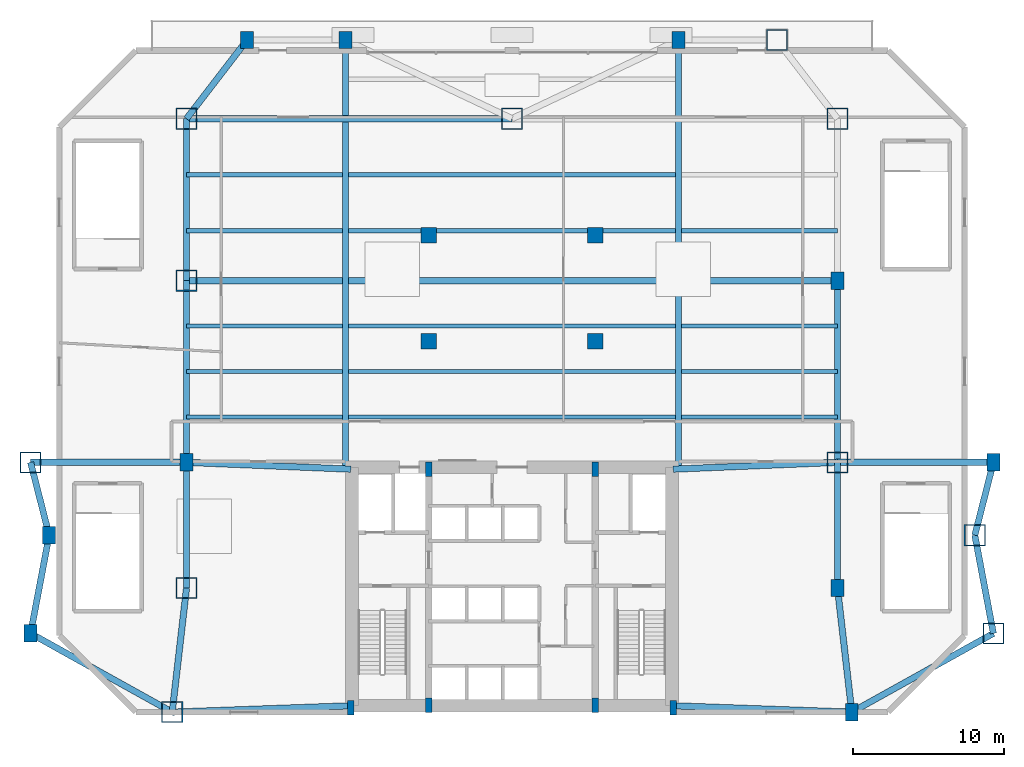
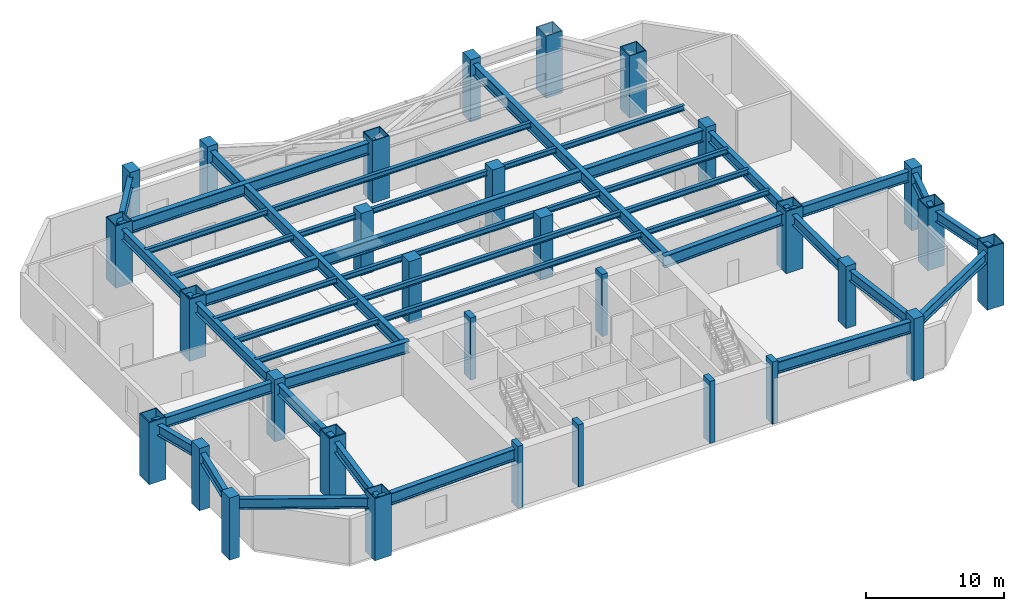
# One storey, part 1 of 8: 38 beams, 31 columns.
"""IFC4 building model written with IfcOpenShell, lengths in metres."""

from ifc_helpers import new_model, si_unit, direction, frame, origin, origin_2d, place, context, subcontext, project, spatial, rectangle, hollow_rectangle, i_section, extrude, source, transform, mapped, material, material_profile, profile_set, type_object, type_shapes, element, save


model = new_model("IFC4")

# Units and contexts
model_context = context("Model", 3, precision=1e-05, world=origin(), true_north=direction((0.0, 1.0)))
body_context = subcontext(model_context, "Body", "Model", "MODEL_VIEW")
ifc_project = project(units=[si_unit("LENGTHUNIT", "METRE"), si_unit("AREAUNIT", "SQUARE_METRE"), si_unit("VOLUMEUNIT", "CUBIC_METRE"), si_unit("PLANEANGLEUNIT", "RADIAN"), si_unit("MASSUNIT", "GRAM", prefix="KILO")], contexts=[model_context])

# Site, building, storey
site_placement = place(None, origin())
site = spatial("IfcSite", under=ifc_project, at=site_placement, CompositionType="ELEMENT")
building_placement = place(site_placement, origin())
building = spatial("IfcBuilding", under=site, at=building_placement, Name="Varnakhor Terracotta Tower", CompositionType="ELEMENT")
storey_placement = place(building_placement, frame((0.0, 0.0, 16.5)))
storey = spatial("IfcBuildingStorey", under=building, at=storey_placement, Name="L03", CompositionType="ELEMENT", Elevation=16.5)

# Columns
ifc_material_1 = material(Name="Concrete C50/60", Category="concrete")
ifc_material_profile_1 = material_profile(ifc_material_1, rectangle(XDim=0.449951171875, YDim=0.949951171875, at=origin_2d()), Name="RC PILASTER 950x450")
ifc_profile_set_1 = profile_set([ifc_material_profile_1], Name="Concrete C50/60")
column_type_1 = type_object("IfcColumnType", Name="COL-PIL-950x450", PredefinedType="PILASTER", material=ifc_profile_set_1)
shared_shape_1 = source(origin(), body_context, "Body", "SweptSolid", [
    extrude(rectangle(XDim=0.449951171875, YDim=0.949951171875, at=origin_2d()), origin(), (0.0, 0.0, 1.0), 5.5),
])
for number, where, z_axis, x_axis, name in (
    (1, (-10.64990234375, 0.300048828125, 0.0), (0.0, 0.0, 1.0), (1.0, 0.0, 0.0), "L03 Core Pilaster CP1"),
    (2, (-5.5, 0.449951171875, 0.0), (0.0, 0.0, 1.0), (1.0, 0.0, 0.0), "L03 Core Pilaster CP2"),
    (3, (5.5, 0.449951171875, 0.0), (0.0, 0.0, 1.0), (1.0, 0.0, 0.0), "L03 Core Pilaster CP3"),
    (4, (10.64990234375, 0.300048828125, 0.0), (0.0, 0.0, 1.0), (1.0, 0.0, 0.0), "L03 Core Pilaster CP4"),
    (5, (-5.5, 16.050048828125, 0.0), (0.0, 0.0, 1.0), (1.0, 0.0, 0.0), "L03 Core Pilaster CP5"),
    (6, (5.5, 16.050048828125, 0.0), (0.0, 0.0, 1.0), (1.0, 0.0, 0.0), "L03 Core Pilaster CP6"),
):
    element("IfcColumn", number, at=place(storey_placement, frame(where, z_axis=z_axis, x_axis=x_axis)), inside=storey, type_object=column_type_1, Name=name, PredefinedType="PILASTER", context=body_context, shape_type="MappedRepresentation", body=[
        mapped(shared_shape_1, transform((0.0, 0.0, 0.0), scale=1.0)),
    ])
ifc_material_2 = material(Name="Concrete C60/75", Category="concrete")
ifc_material_profile_2 = material_profile(ifc_material_2, rectangle(XDim=1.050048828125, YDim=1.050048828125, at=origin_2d()), Name="RC 1050x1050")
ifc_profile_set_2 = profile_set([ifc_material_profile_2], Name="Concrete C60/75")
column_type_2 = type_object("IfcColumnType", Name="COL-RC-1050", PredefinedType="COLUMN", material=ifc_profile_set_2)
shared_shape_2 = source(origin(), body_context, "Body", "SweptSolid", [
    extrude(rectangle(XDim=1.050048828125, YDim=1.050048828125, at=origin_2d()), origin(), (0.0, 0.0, 1.0), 5.5),
])
type_shapes(column_type_2, [shared_shape_2])
for number, where, z_axis, x_axis, name in (
    (7, (-5.5, 24.5, 0.0), (0.0, 0.0, 1.0), (1.0, 0.0, 0.0), "L03 Interior Plumb Tower Column I1"),
    (8, (5.5, 24.5, 0.0), (0.0, 0.0, 1.0), (1.0, 0.0, 0.0), "L03 Interior Plumb Tower Column I2"),
    (9, (-5.5, 31.5, 0.0), (0.0, 0.0, 1.0), (1.0, 0.0, 0.0), "L03 Interior Plumb Tower Column I3"),
    (10, (5.5, 31.5, 0.0), (0.0, 0.0, 1.0), (1.0, 0.0, 0.0), "L03 Interior Plumb Tower Column I4"),
):
    element("IfcColumn", number, at=place(storey_placement, frame(where, z_axis=z_axis, x_axis=x_axis)), inside=storey, type_object=column_type_2, Name=name, PredefinedType="COLUMN", context=body_context, shape_type="MappedRepresentation", body=[
        mapped(shared_shape_2, transform((0.0, 0.0, 0.0), scale=1.0)),
    ])
ifc_material_3 = material(Name="Steel S460", Category="steel")
ifc_material_profile_3 = material_profile(ifc_material_3, hollow_rectangle(XDim=1.39990234375, YDim=1.39990234375, WallThickness=0.070068359375, at=origin_2d()), Name="BOX 1400x1400x70")
ifc_profile_set_3 = profile_set([ifc_material_profile_3], Name="Steel S460")
column_type_3 = type_object("IfcColumnType", Name="COL-MEGA-1400", PredefinedType="COLUMN", material=ifc_profile_set_3)
shared_shape_3 = source(origin(), body_context, "Body", "SweptSolid", [
    extrude(hollow_rectangle(XDim=1.39990234375, YDim=1.39990234375, WallThickness=0.070068359375, at=origin_2d()), origin(), (0.0, 0.0, 1.0), 5.5),
])
for number, where, z_axis, x_axis, name in (
    (11, (-22.446044921875, 0.0, 0.0), (0.0, 0.0, 1.0), (1.0, 0.0, 0.0), "L03 Podium Column PC01"),
    (12, (-21.5, 8.199951171875, 0.0), (0.0, 0.0, 1.0), (1.0, 0.0, 0.0), "L03 Podium Column PC03"),
    (13, (-31.800048828125, 16.5, 0.0), (0.0, 0.0, 1.0), (1.0, 0.0, 0.0), "L03 Podium Column PC05"),
    (14, (-21.5, 28.5, 0.0), (0.0, 0.0, 1.0), (1.0, 0.0, 0.0), "L03 Podium Column PC07"),
    (15, (-21.5, 39.199951171875, 0.0), (0.0, 0.0, 1.0), (1.0, 0.0, 0.0), "L03 Podium Column PC09"),
    (16, (0.0, 39.199951171875, 0.0), (0.0, 0.0, 1.0), (1.0, 0.0, 0.0), "L03 Podium Column PC11"),
    (17, (21.5, 39.199951171875, 0.0), (0.0, 0.0, 1.0), (1.0, 0.0, 0.0), "L03 Podium Column PC13"),
    (18, (21.5, 16.5, 0.0), (0.0, 0.0, 1.0), (1.0, 0.0, 0.0), "L03 Podium Column PC15"),
    (19, (31.800048828125, 5.199951171875, 0.0), (0.0, 0.0, 1.0), (1.0, 0.0, 0.0), "L03 Podium Column PC17"),
    (20, (17.5, 44.39990234375, 0.0), (0.0, 0.0, 1.0), (1.0, 0.0, 0.0), "L03 Podium Column PC21"),
    (21, (30.572998046875, 11.68701171875, 0.0), (0.0, 0.0, 1.0), (1.0, 0.0, 0.0), "L03 Podium Column PC23"),
):
    element("IfcColumn", number, at=place(storey_placement, frame(where, z_axis=z_axis, x_axis=x_axis)), inside=storey, type_object=column_type_3, Name=name, PredefinedType="COLUMN", context=body_context, shape_type="MappedRepresentation", body=[
        mapped(shared_shape_3, transform((0.0, 0.0, 0.0), scale=1.0)),
    ])
ifc_material_profile_4 = material_profile(ifc_material_2, rectangle(XDim=0.85009765625, YDim=1.14990234375, at=origin_2d()), Name="RC 1150x850")
ifc_profile_set_4 = profile_set([ifc_material_profile_4], Name="Concrete C60/75")
column_type_4 = type_object("IfcColumnType", Name="COL-RC-1150x850", PredefinedType="COLUMN", material=ifc_profile_set_4)
shared_shape_4 = source(origin(), body_context, "Body", "SweptSolid", [
    extrude(rectangle(XDim=0.85009765625, YDim=1.14990234375, at=origin_2d()), origin(), (0.0, 0.0, 1.0), 5.5),
])
for number, where, z_axis, x_axis, name in (
    (22, (22.446044921875, 0.0, 0.0), (0.0, 0.0, 1.0), (1.0, 0.0, 0.0), "L03 Podium Column PC02"),
    (23, (21.5, 8.199951171875, 0.0), (0.0, 0.0, 1.0), (1.0, 0.0, 0.0), "L03 Podium Column PC04"),
    (24, (31.800048828125, 16.5, 0.0), (0.0, 0.0, 1.0), (1.0, 0.0, 0.0), "L03 Podium Column PC06"),
    (25, (21.5, 28.5, 0.0), (0.0, 0.0, 1.0), (1.0, 0.0, 0.0), "L03 Podium Column PC08"),
    (26, (-11.0, 44.39990234375, 0.0), (0.0, 0.0, 1.0), (1.0, 0.0, 0.0), "L03 Podium Column PC10"),
    (27, (11.0, 44.39990234375, 0.0), (0.0, 0.0, 1.0), (1.0, 0.0, 0.0), "L03 Podium Column PC12"),
    (28, (-21.5, 16.5, 0.0), (0.0, 0.0, 1.0), (1.0, 0.0, 0.0), "L03 Podium Column PC14"),
    (29, (-31.800048828125, 5.199951171875, 0.0), (0.0, 0.0, 1.0), (1.0, 0.0, 0.0), "L03 Podium Column PC16"),
    (30, (-17.5, 44.39990234375, 0.0), (0.0, 0.0, 1.0), (1.0, 0.0, 0.0), "L03 Podium Column PC20"),
    (31, (-30.572998046875, 11.68701171875, 0.0), (0.0, 0.0, 1.0), (1.0, 0.0, 0.0), "L03 Podium Column PC22"),
):
    element("IfcColumn", number, at=place(storey_placement, frame(where, z_axis=z_axis, x_axis=x_axis)), inside=storey, type_object=column_type_4, Name=name, PredefinedType="COLUMN", context=body_context, shape_type="MappedRepresentation", body=[
        mapped(shared_shape_4, transform((0.0, 0.0, 0.0), scale=1.0)),
    ])

# Beams
ifc_material_4 = material(Name="Steel S355", Category="steel")
ifc_material_profile_5 = material_profile(ifc_material_4, i_section(OverallWidth=0.41796875, OverallDepth=0.927001953125, WebThickness=0.01904296875, FlangeThickness=0.031982421875, FilletRadius=0.01806640625, at=origin_2d()), Name="W36X231")
ifc_profile_set_5 = profile_set([ifc_material_profile_5], Name="Steel S355")
beam_type_1 = type_object("IfcBeamType", Name="BM-W36X231", PredefinedType="BEAM", material=ifc_profile_set_5)
shared_shape_5 = source(origin(), body_context, "Body", "SweptSolid", [
    extrude(i_section(OverallWidth=0.41796875, OverallDepth=0.927001953125, WebThickness=0.01904296875, FlangeThickness=0.031982421875, FilletRadius=0.01806640625, at=origin_2d()), origin(), (0.0, 0.0, 1.0), 8.25439453125),
])
type_shapes(beam_type_1, [shared_shape_5])
for number, where, z_axis, x_axis, name in (
    (32, (-22.446044921875, 0.0, 4.58642578125), (0.114611758944, 0.993410360683, 0.0), (-0.993410360683, 0.114611758944, 0.0), "L03 Podium Ring Girder 1"),
    (33, (21.5, 8.199951171875, 4.58642578125), (0.114611758944, -0.993410360683, 0.0), (0.993410360683, 0.114611758944, 0.0), "L03 Podium Ring Girder 14"),
):
    element("IfcBeam", number, at=place(storey_placement, frame(where, z_axis=z_axis, x_axis=x_axis)), inside=storey, type_object=beam_type_1, Name=name, PredefinedType="BEAM", context=body_context, shape_type="MappedRepresentation", body=[
        mapped(shared_shape_5, transform((0.0, 0.0, 0.0), scale=1.0)),
    ])
shared_shape_6 = source(origin(), body_context, "Body", "SweptSolid", [
    extrude(i_section(OverallWidth=0.41796875, OverallDepth=0.927001953125, WebThickness=0.01904296875, FlangeThickness=0.031982421875, FilletRadius=0.01806640625, at=origin_2d()), origin(), (0.0, 0.0, 1.0), 8.300048828125),
])
for number, where, z_axis, x_axis, name in (
    (34, (-21.5, 8.199951171875, 4.58642578125), (0.0, 1.0, 0.0), (-1.0, 0.0, 0.0), "L03 Podium Ring Girder 2"),
    (35, (21.5, 16.5, 4.58642578125), (0.0, -1.0, 0.0), (1.0, 0.0, 0.0), "L03 Podium Ring Girder 13"),
):
    element("IfcBeam", number, at=place(storey_placement, frame(where, z_axis=z_axis, x_axis=x_axis)), inside=storey, type_object=beam_type_1, Name=name, PredefinedType="BEAM", context=body_context, shape_type="MappedRepresentation", body=[
        mapped(shared_shape_6, transform((0.0, 0.0, 0.0), scale=1.0)),
    ])
shared_shape_7 = source(origin(), body_context, "Body", "SweptSolid", [
    extrude(i_section(OverallWidth=0.41796875, OverallDepth=0.927001953125, WebThickness=0.01904296875, FlangeThickness=0.031982421875, FilletRadius=0.01806640625, at=origin_2d()), origin(), (0.0, 0.0, 1.0), 12.0),
])
for number, where, z_axis, x_axis, name in (
    (36, (-21.5, 16.5, 4.58642578125), (0.0, 1.0, 0.0), (-1.0, 0.0, 0.0), "L03 Podium Ring Girder 3"),
    (37, (21.5, 28.5, 4.58642578125), (0.0, -1.0, 0.0), (1.0, 0.0, 0.0), "L03 Podium Ring Girder 12"),
):
    element("IfcBeam", number, at=place(storey_placement, frame(where, z_axis=z_axis, x_axis=x_axis)), inside=storey, type_object=beam_type_1, Name=name, PredefinedType="BEAM", context=body_context, shape_type="MappedRepresentation", body=[
        mapped(shared_shape_7, transform((0.0, 0.0, 0.0), scale=1.0)),
    ])
shared_shape_8 = source(origin(), body_context, "Body", "SweptSolid", [
    extrude(i_section(OverallWidth=0.41796875, OverallDepth=0.927001953125, WebThickness=0.01904296875, FlangeThickness=0.031982421875, FilletRadius=0.01806640625, at=origin_2d()), origin(), (0.0, 0.0, 1.0), 10.699951171875),
])
beam_1_placement = place(storey_placement, frame((-21.5, 28.5, 4.58642578125), z_axis=(0.0, 1.0, 0.0), x_axis=(-1.0, 0.0, 0.0)))
element("IfcBeam", 38, at=beam_1_placement, inside=storey, type_object=beam_type_1, Name="L03 Podium Ring Girder 4", PredefinedType="BEAM", context=body_context, shape_type="MappedRepresentation", body=[
    mapped(shared_shape_8, transform((0.0, 0.0, 0.0), scale=1.0)),
])
shared_shape_9 = source(origin(), body_context, "Body", "SweptSolid", [
    extrude(i_section(OverallWidth=0.41796875, OverallDepth=0.927001953125, WebThickness=0.01904296875, FlangeThickness=0.031982421875, FilletRadius=0.01806640625, at=origin_2d()), origin(), (0.0, 0.0, 1.0), 6.560546875),
])
beam_2_placement = place(storey_placement, frame((-21.5, 39.199951171875, 4.58642578125), z_axis=(0.609714357737, 0.792621222255, 0.0), x_axis=(-0.792621222255, 0.609714357737, 0.0)))
element("IfcBeam", 39, at=beam_2_placement, inside=storey, type_object=beam_type_1, Name="L03 Podium Ring Girder 5", PredefinedType="BEAM", context=body_context, shape_type="MappedRepresentation", body=[
    mapped(shared_shape_9, transform((0.0, 0.0, 0.0), scale=1.0)),
])
shared_shape_10 = source(origin(), body_context, "Body", "SweptSolid", [
    extrude(i_section(OverallWidth=0.41796875, OverallDepth=0.927001953125, WebThickness=0.01904296875, FlangeThickness=0.031982421875, FilletRadius=0.01806640625, at=origin_2d()), origin(), (0.0, 0.0, 1.0), 10.7021484375),
])
for number, where, z_axis, x_axis, name in (
    (40, (-22.446044921875, 0.0, 4.58642578125), (-0.874027042936, 0.485877276909, 0.0), (-0.485877276909, -0.874027042936, 0.0), "L03 Podium Wing Girder OW1"),
    (41, (22.446044921875, 0.0, 4.58642578125), (0.874027042936, 0.485877276909, 0.0), (-0.485877276909, 0.874027042936, 0.0), "L03 Podium Wing Girder OE1"),
):
    element("IfcBeam", number, at=place(storey_placement, frame(where, z_axis=z_axis, x_axis=x_axis)), inside=storey, type_object=beam_type_1, Name=name, PredefinedType="BEAM", context=body_context, shape_type="MappedRepresentation", body=[
        mapped(shared_shape_10, transform((0.0, 0.0, 0.0), scale=1.0)),
    ])
shared_shape_11 = source(origin(), body_context, "Body", "SweptSolid", [
    extrude(i_section(OverallWidth=0.41796875, OverallDepth=0.927001953125, WebThickness=0.01904296875, FlangeThickness=0.031982421875, FilletRadius=0.01806640625, at=origin_2d()), origin(), (0.0, 0.0, 1.0), 6.60205078125),
])
for number, where, z_axis, x_axis, name in (
    (42, (-31.800048828125, 5.199951171875, 4.58642578125), (0.185857896361, 0.982576634345, 0.0), (-0.982576634345, 0.185857896361, 0.0), "L03 Podium Wing Girder OW2A"),
    (43, (31.800048828125, 5.199951171875, 4.58642578125), (-0.185857896361, 0.982576634345, 0.0), (-0.982576634345, -0.185857896361, 0.0), "L03 Podium Wing Girder OE2A"),
):
    element("IfcBeam", number, at=place(storey_placement, frame(where, z_axis=z_axis, x_axis=x_axis)), inside=storey, type_object=beam_type_1, Name=name, PredefinedType="BEAM", context=body_context, shape_type="MappedRepresentation", body=[
        mapped(shared_shape_11, transform((0.0, 0.0, 0.0), scale=1.0)),
    ])
shared_shape_12 = source(origin(), body_context, "Body", "SweptSolid", [
    extrude(i_section(OverallWidth=0.41796875, OverallDepth=0.927001953125, WebThickness=0.01904296875, FlangeThickness=0.031982421875, FilletRadius=0.01806640625, at=origin_2d()), origin(), (0.0, 0.0, 1.0), 4.967041015625),
])
for number, where, z_axis, x_axis, name in (
    (44, (-30.572998046875, 11.68701171875, 4.58642578125), (-0.247043524216, 0.969004384481, 0.0), (-0.969004384481, -0.247043524216, 0.0), "L03 Podium Wing Girder OW2B"),
    (45, (30.572998046875, 11.68701171875, 4.58642578125), (0.247043524216, 0.969004384481, 0.0), (-0.969004384481, 0.247043524216, 0.0), "L03 Podium Wing Girder OE2B"),
):
    element("IfcBeam", number, at=place(storey_placement, frame(where, z_axis=z_axis, x_axis=x_axis)), inside=storey, type_object=beam_type_1, Name=name, PredefinedType="BEAM", context=body_context, shape_type="MappedRepresentation", body=[
        mapped(shared_shape_12, transform((0.0, 0.0, 0.0), scale=1.0)),
    ])
shared_shape_13 = source(origin(), body_context, "Body", "SweptSolid", [
    extrude(i_section(OverallWidth=0.41796875, OverallDepth=0.927001953125, WebThickness=0.01904296875, FlangeThickness=0.031982421875, FilletRadius=0.01806640625, at=origin_2d()), origin(), (0.0, 0.0, 1.0), 10.300048828125),
])
for number, where, z_axis, x_axis, name in (
    (46, (-21.5, 16.5, 4.58642578125), (-1.0, 0.0, 0.0), (0.0, -1.0, 0.0), "L03 Podium Wing Girder OW4"),
    (47, (21.5, 16.5, 4.58642578125), (1.0, 0.0, 0.0), (0.0, 1.0, 0.0), "L03 Podium Wing Girder OE4"),
):
    element("IfcBeam", number, at=place(storey_placement, frame(where, z_axis=z_axis, x_axis=x_axis)), inside=storey, type_object=beam_type_1, Name=name, PredefinedType="BEAM", context=body_context, shape_type="MappedRepresentation", body=[
        mapped(shared_shape_13, transform((0.0, 0.0, 0.0), scale=1.0)),
    ])
ifc_material_profile_6 = material_profile(ifc_material_3, i_section(OverallWidth=0.419921875, OverallDepth=1.0400390625, WebThickness=0.031005859375, FlangeThickness=0.055908203125, FilletRadius=0.01806640625, at=origin_2d()), Name="W40X397")
ifc_profile_set_6 = profile_set([ifc_material_profile_6], Name="Steel S460")
beam_type_2 = type_object("IfcBeamType", Name="BM-W40X397", PredefinedType="BEAM", material=ifc_profile_set_6)
shared_shape_14 = source(origin(), body_context, "Body", "SweptSolid", [
    extrude(i_section(OverallWidth=0.419921875, OverallDepth=1.0400390625, WebThickness=0.031005859375, FlangeThickness=0.055908203125, FilletRadius=0.01806640625, at=origin_2d()), origin(), (0.0, 0.0, 1.0), 11.8037109375),
])
type_shapes(beam_type_2, [shared_shape_14])
for number, where, z_axis, x_axis, name in (
    (48, (-22.446044921875, 0.0, 4.530029296875), (0.999366984345, 0.035575702404, 0.0), (-0.035575702404, 0.999366984345, 0.0), "L03 Podium Primary Girder GW1"),
    (49, (10.64990234375, 0.419921875, 4.530029296875), (0.999366984345, -0.035575702404, 0.0), (0.035575702404, 0.999366984345, 0.0), "L03 Podium Primary Girder GE1"),
):
    element("IfcBeam", number, at=place(storey_placement, frame(where, z_axis=z_axis, x_axis=x_axis)), inside=storey, type_object=beam_type_2, Name=name, PredefinedType="BEAM", context=body_context, shape_type="MappedRepresentation", body=[
        mapped(shared_shape_14, transform((0.0, 0.0, 0.0), scale=1.0)),
    ])
shared_shape_15 = source(origin(), body_context, "Body", "SweptSolid", [
    extrude(i_section(OverallWidth=0.419921875, OverallDepth=1.0400390625, WebThickness=0.031005859375, FlangeThickness=0.055908203125, FilletRadius=0.01806640625, at=origin_2d()), origin(), (0.0, 0.0, 1.0), 10.859375),
])
for number, where, z_axis, x_axis, name in (
    (50, (-21.5, 16.5, 4.530029296875), (0.99914123612, -0.041434168088, 0.0), (0.041434168088, 0.99914123612, 0.0), "L03 Podium Primary Girder GW2"),
    (51, (10.64990234375, 16.050048828125, 4.530029296875), (0.99914123612, 0.041434168088, 0.0), (-0.041434168088, 0.99914123612, 0.0), "L03 Podium Primary Girder GE2"),
):
    element("IfcBeam", number, at=place(storey_placement, frame(where, z_axis=z_axis, x_axis=x_axis)), inside=storey, type_object=beam_type_2, Name=name, PredefinedType="BEAM", context=body_context, shape_type="MappedRepresentation", body=[
        mapped(shared_shape_15, transform((0.0, 0.0, 0.0), scale=1.0)),
    ])
shared_shape_16 = source(origin(), body_context, "Body", "SweptSolid", [
    extrude(i_section(OverallWidth=0.419921875, OverallDepth=1.0400390625, WebThickness=0.031005859375, FlangeThickness=0.055908203125, FilletRadius=0.01806640625, at=origin_2d()), origin(), (0.0, 0.0, 1.0), 43.0),
])
beam_3_placement = place(storey_placement, frame((-21.5, 28.5, 4.530029296875), z_axis=(1.0, 0.0, 0.0), x_axis=(0.0, 1.0, 0.0)))
element("IfcBeam", 52, at=beam_3_placement, inside=storey, type_object=beam_type_2, Name="L03 Podium Primary Girder GN1", PredefinedType="BEAM", context=body_context, shape_type="MappedRepresentation", body=[
    mapped(shared_shape_16, transform((0.0, 0.0, 0.0), scale=1.0)),
])
shared_shape_17 = source(origin(), body_context, "Body", "SweptSolid", [
    extrude(i_section(OverallWidth=0.419921875, OverallDepth=1.0400390625, WebThickness=0.031005859375, FlangeThickness=0.055908203125, FilletRadius=0.01806640625, at=origin_2d()), origin(), (0.0, 0.0, 1.0), 21.5),
])
beam_4_placement = place(storey_placement, frame((-21.5, 39.199951171875, 4.530029296875), z_axis=(1.0, 0.0, 0.0), x_axis=(0.0, 1.0, 0.0)))
element("IfcBeam", 53, at=beam_4_placement, inside=storey, type_object=beam_type_2, Name="L03 Podium Primary Girder GN2", PredefinedType="BEAM", context=body_context, shape_type="MappedRepresentation", body=[
    mapped(shared_shape_17, transform((0.0, 0.0, 0.0), scale=1.0)),
])
shared_shape_18 = source(origin(), body_context, "Body", "SweptSolid", [
    extrude(i_section(OverallWidth=0.419921875, OverallDepth=1.0400390625, WebThickness=0.031005859375, FlangeThickness=0.055908203125, FilletRadius=0.01806640625, at=origin_2d()), origin(), (0.0, 0.0, 1.0), 28.349853515625),
])
for number, where, z_axis, x_axis, name in (
    (54, (-11.0, 16.050048828125, 4.530029296875), (0.0, 1.0, 0.0), (-1.0, 0.0, 0.0), "L03 Podium Primary Girder GNS-W"),
    (55, (11.0, 16.050048828125, 4.530029296875), (0.0, 1.0, 0.0), (-1.0, 0.0, 0.0), "L03 Podium Primary Girder GNS-E"),
):
    element("IfcBeam", number, at=place(storey_placement, frame(where, z_axis=z_axis, x_axis=x_axis)), inside=storey, type_object=beam_type_2, Name=name, PredefinedType="BEAM", context=body_context, shape_type="MappedRepresentation", body=[
        mapped(shared_shape_18, transform((0.0, 0.0, 0.0), scale=1.0)),
    ])
ifc_material_profile_7 = material_profile(ifc_material_4, i_section(OverallWidth=0.280029296875, OverallDepth=0.462890625, WebThickness=0.010986328125, FlangeThickness=0.01708984375, FilletRadius=0.01806640625, at=origin_2d()), Name="W18X76")
ifc_profile_set_7 = profile_set([ifc_material_profile_7], Name="Steel S355")
beam_type_3 = type_object("IfcBeamType", Name="JST-W18X76", PredefinedType="JOIST", material=ifc_profile_set_7)
shared_shape_19 = source(origin(), body_context, "Body", "SweptSolid", [
    extrude(i_section(OverallWidth=0.280029296875, OverallDepth=0.462890625, WebThickness=0.010986328125, FlangeThickness=0.01708984375, FilletRadius=0.01806640625, at=origin_2d()), origin(), (0.0, 0.0, 1.0), 10.2939453125),
])
type_shapes(beam_type_3, [shared_shape_19])
for number, where, z_axis, x_axis, name in (
    (56, (-21.5, 19.5, 4.818603515625), (1.0, 0.0, 0.0), (0.0, 1.0, 0.0), "L03 Podium Joist 1W"),
    (57, (11.2060546875, 19.5, 4.818603515625), (1.0, 0.0, 0.0), (0.0, 1.0, 0.0), "L03 Podium Joist 1E"),
    (58, (-21.5, 22.5, 4.818603515625), (1.0, 0.0, 0.0), (0.0, 1.0, 0.0), "L03 Podium Joist 2W"),
    (59, (11.2060546875, 22.5, 4.818603515625), (1.0, 0.0, 0.0), (0.0, 1.0, 0.0), "L03 Podium Joist 2E"),
    (60, (-21.5, 25.5, 4.818603515625), (1.0, 0.0, 0.0), (0.0, 1.0, 0.0), "L03 Podium Joist 3W"),
    (61, (11.2060546875, 25.5, 4.818603515625), (1.0, 0.0, 0.0), (0.0, 1.0, 0.0), "L03 Podium Joist 3E"),
    (62, (-21.5, 31.800048828125, 4.818603515625), (1.0, 0.0, 0.0), (0.0, 1.0, 0.0), "L03 Podium Joist 4W"),
    (63, (11.2060546875, 31.800048828125, 4.818603515625), (1.0, 0.0, 0.0), (0.0, 1.0, 0.0), "L03 Podium Joist 4E"),
    (64, (-21.5, 35.5, 4.818603515625), (1.0, 0.0, 0.0), (0.0, 1.0, 0.0), "L03 Podium Joist 5W"),
):
    element("IfcBeam", number, at=place(storey_placement, frame(where, z_axis=z_axis, x_axis=x_axis)), inside=storey, type_object=beam_type_3, Name=name, PredefinedType="JOIST", context=body_context, shape_type="MappedRepresentation", body=[
        mapped(shared_shape_19, transform((0.0, 0.0, 0.0), scale=1.0)),
    ])
shared_shape_20 = source(origin(), body_context, "Body", "SweptSolid", [
    extrude(i_section(OverallWidth=0.280029296875, OverallDepth=0.462890625, WebThickness=0.010986328125, FlangeThickness=0.01708984375, FilletRadius=0.01806640625, at=origin_2d()), origin(), (0.0, 0.0, 1.0), 21.587890625),
])
for number, where, z_axis, x_axis, name in (
    (65, (-10.7939453125, 19.5, 4.818603515625), (1.0, 0.0, 0.0), (0.0, 1.0, 0.0), "L03 Podium Joist 1C"),
    (66, (-10.7939453125, 22.5, 4.818603515625), (1.0, 0.0, 0.0), (0.0, 1.0, 0.0), "L03 Podium Joist 2C"),
    (67, (-10.7939453125, 25.5, 4.818603515625), (1.0, 0.0, 0.0), (0.0, 1.0, 0.0), "L03 Podium Joist 3C"),
    (68, (-10.7939453125, 31.800048828125, 4.818603515625), (1.0, 0.0, 0.0), (0.0, 1.0, 0.0), "L03 Podium Joist 4C"),
    (69, (-10.7939453125, 35.5, 4.818603515625), (1.0, 0.0, 0.0), (0.0, 1.0, 0.0), "L03 Podium Joist 5C"),
):
    element("IfcBeam", number, at=place(storey_placement, frame(where, z_axis=z_axis, x_axis=x_axis)), inside=storey, type_object=beam_type_3, Name=name, PredefinedType="JOIST", context=body_context, shape_type="MappedRepresentation", body=[
        mapped(shared_shape_20, transform((0.0, 0.0, 0.0), scale=1.0)),
    ])

save(model, "model.ifc")
